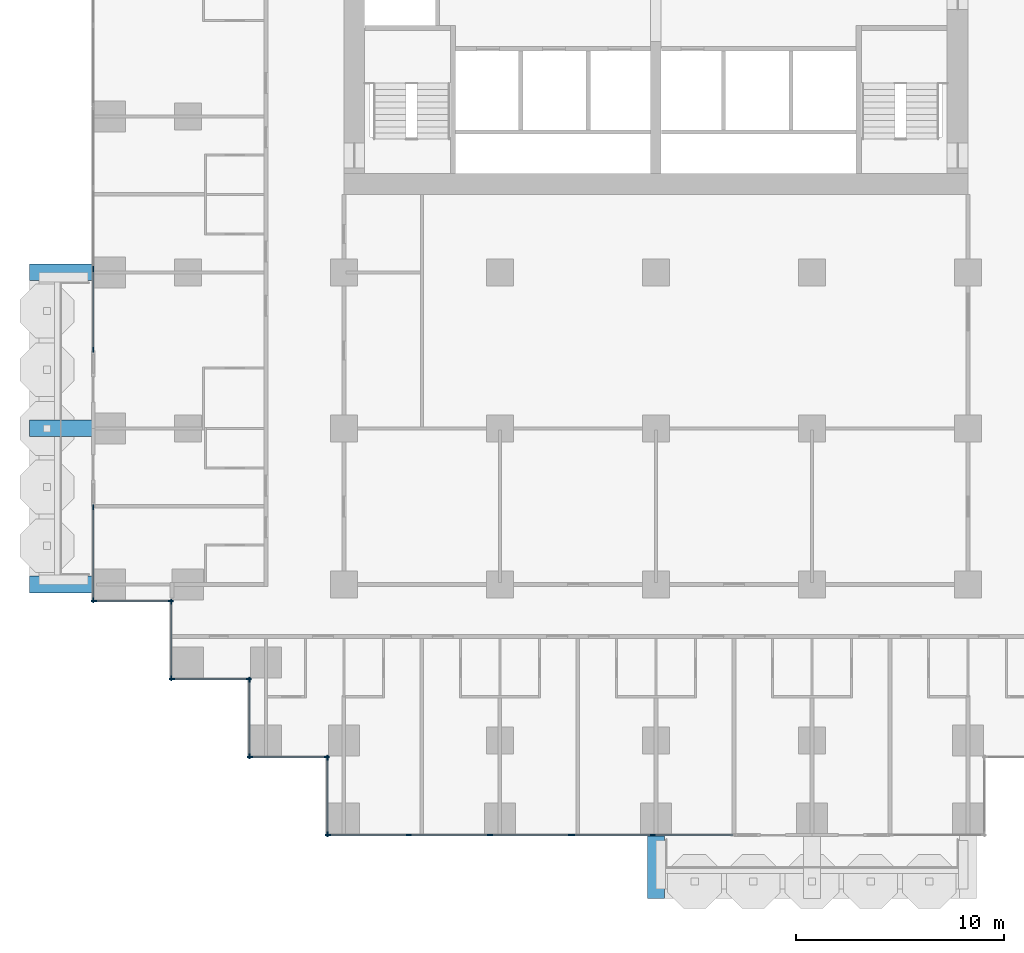
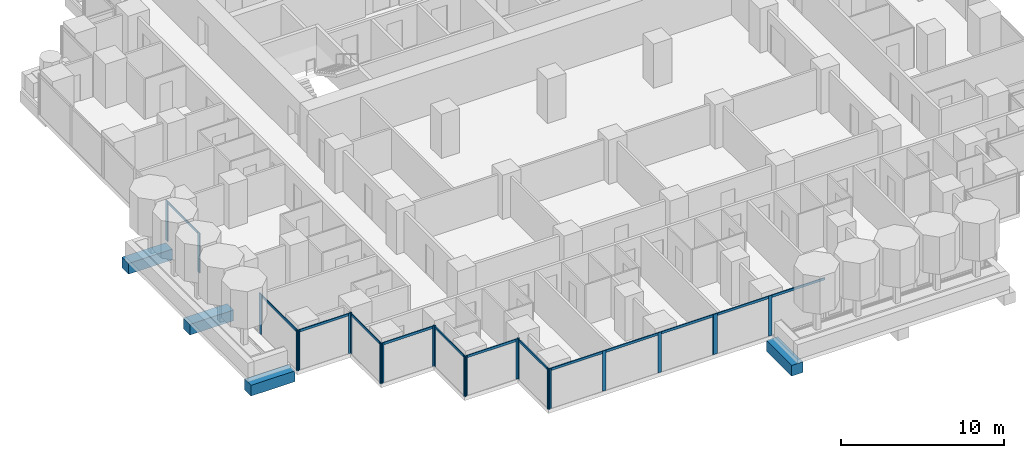
# One storey, part 2 of 19: 35 members, 4 beams, 10 elements without a shape of their own.
"""IFC4 building model written with IfcOpenShell, lengths in metres."""

from ifc_helpers import new_model, si_unit, direction, frame, origin, origin_2d, place, context, subcontext, project, spatial, rectangle, extrude, material, material_profile, profile_set, type_object, element, aggregate, save


model = new_model("IFC4")

# Units and contexts
model_context = context("Model", 3, precision=1e-05, world=origin(), true_north=direction((0.0, 1.0)))
body_context = subcontext(model_context, "Body", "Model", "MODEL_VIEW")
ifc_project = project(units=[si_unit("LENGTHUNIT", "METRE"), si_unit("AREAUNIT", "SQUARE_METRE"), si_unit("VOLUMEUNIT", "CUBIC_METRE"), si_unit("PLANEANGLEUNIT", "RADIAN"), si_unit("MASSUNIT", "GRAM", prefix="KILO")], contexts=[model_context])

# Site, building, storey
site_placement = place(None, origin())
site = spatial("IfcSite", under=ifc_project, at=site_placement, CompositionType="ELEMENT")
building_placement = place(site_placement, origin())
building = spatial("IfcBuilding", under=site, at=building_placement, Name="Pilkhan Gate Tower", CompositionType="ELEMENT")
storey_placement = place(building_placement, frame((0.0, 0.0, 65.89990234375)))
storey = spatial("IfcBuildingStorey", under=building, at=storey_placement, Name="L14", CompositionType="ELEMENT", Elevation=65.89990234375)

# Beams
ifc_material_1 = material(Name="Concrete C50/60", Category="concrete")
ifc_material_profile_1 = material_profile(ifc_material_1, rectangle(XDim=0.800048828125, YDim=0.800048828125, at=origin_2d()), Name="RC 800x800")
ifc_profile_set_1 = profile_set([ifc_material_profile_1], Name="Concrete C50/60")
beam_type = type_object("IfcBeamType", Name="Cantilever beam CB2 RC 800x800 C50/60", PredefinedType="BEAM", material=ifc_profile_set_1)
for number, where, z_axis, x_axis, name in (
    (1, (75.0, 40.5, -0.699951171875), (0.0, -1.0, 0.0), (1.0, 0.0, 0.0), "Balcony beam S.1 L14"),
    (2, (48.0, 52.5, -0.699951171875), (-1.0, 0.0, 0.0), (0.0, -1.0, 0.0), "Balcony beam W.1 L14"),
    (3, (48.0, 60.0, -0.699951171875), (-1.0, 0.0, 0.0), (0.0, -1.0, 0.0), "Balcony beam W.2 L14"),
    (4, (48.0, 67.5, -0.699951171875), (-1.0, 0.0, 0.0), (0.0, -1.0, 0.0), "Balcony beam W.3 L14"),
):
    element("IfcBeam", number, at=place(storey_placement, frame(where, z_axis=z_axis, x_axis=x_axis)), inside=storey, type_object=beam_type, Name=name, PredefinedType="BEAM", context=body_context, shape_type="SweptSolid", body=[
        extrude(rectangle(XDim=0.800048828125, YDim=0.800048828125, at=origin_2d()), origin(), (0.0, 0.0, 1.0), 3.10009765625),
    ])

# Curtain wall, members
ifc_material_2 = material(Name="Pale anodised aluminium, clear low-iron double glazing", Category="aluminium")
curtain_wall_type = type_object("IfcCurtainWallType", Name="Hotel unitised curtain wall CW-H", PredefinedType="USERDEFINED", material=ifc_material_2)
curtain_wall_1_placement = place(storey_placement, origin())
curtain_wall_1 = element("IfcCurtainWall", 5, at=curtain_wall_1_placement, inside=storey, type_object=curtain_wall_type, Name="Hotel unitised curtain wall CW-H L14 W", ObjectType="UNITISED CURTAIN WALL", PredefinedType="USERDEFINED")
ifc_material_3 = material(Name="Pale anodised aluminium", Category="aluminium")
ifc_material_profile_2 = material_profile(ifc_material_3, rectangle(XDim=0.06494140625, YDim=0.25, at=origin_2d()), Name="Mullion 250x65")
ifc_profile_set_2 = profile_set([ifc_material_profile_2], Name="Pale anodised aluminium")
member_type_1 = type_object("IfcMemberType", Name="Mullion CW-H 250x65", PredefinedType="MULLION", material=ifc_profile_set_2)
member_1_placement = place(storey_placement, frame((47.955078125, 51.737548828125, 0.0), z_axis=(0.0, 0.0, 1.0), x_axis=(-1.0, 0.0, 0.0)))
member_1 = element("IfcMember", 6, at=member_1_placement, type_object=member_type_1, Name="CW-H mullion 1", PredefinedType="MULLION", context=body_context, shape_type="SweptSolid", body=[
    extrude(rectangle(XDim=0.06494140625, YDim=0.25, at=origin_2d()), origin(), (0.0, 0.0, 1.0), 3.0),
])
member_2_placement = place(storey_placement, frame((47.955078125, 56.217529296875, 0.0), z_axis=(0.0, 0.0, 1.0), x_axis=(-1.0, 0.0, 0.0)))
member_2 = element("IfcMember", 7, at=member_2_placement, type_object=member_type_1, Name="CW-H mullion 2", PredefinedType="MULLION", context=body_context, shape_type="SweptSolid", body=[
    extrude(rectangle(XDim=0.06494140625, YDim=0.25, at=origin_2d()), origin(), (0.0, 0.0, 1.0), 3.0),
])

curtain_wall_2_placement = place(storey_placement, origin())
curtain_wall_2 = element("IfcCurtainWall", 8, at=curtain_wall_2_placement, inside=storey, type_object=curtain_wall_type, Name="Hotel unitised curtain wall CW-H L14 W", ObjectType="UNITISED CURTAIN WALL", PredefinedType="USERDEFINED")
member_3_placement = place(storey_placement, frame((47.955078125, 63.782470703125, 0.0), z_axis=(0.0, 0.0, 1.0), x_axis=(-1.0, 0.0, 0.0)))
member_3 = element("IfcMember", 9, at=member_3_placement, type_object=member_type_1, Name="CW-H mullion 1", PredefinedType="MULLION", context=body_context, shape_type="SweptSolid", body=[
    extrude(rectangle(XDim=0.06494140625, YDim=0.25, at=origin_2d()), origin(), (0.0, 0.0, 1.0), 3.0),
])
member_4_placement = place(storey_placement, frame((47.955078125, 67.658935546875, 0.0), z_axis=(0.0, 0.0, 1.0), x_axis=(-1.0, 0.0, 0.0)))
member_4 = element("IfcMember", 10, at=member_4_placement, type_object=member_type_1, Name="CW-H mullion 2", PredefinedType="MULLION", context=body_context, shape_type="SweptSolid", body=[
    extrude(rectangle(XDim=0.06494140625, YDim=0.25, at=origin_2d()), origin(), (0.0, 0.0, 1.0), 3.0),
])

curtain_wall_3_placement = place(storey_placement, origin())
curtain_wall_3 = element("IfcCurtainWall", 11, at=curtain_wall_3_placement, inside=storey, type_object=curtain_wall_type, Name="Hotel unitised curtain wall CW-H L14 S", ObjectType="UNITISED CURTAIN WALL", PredefinedType="USERDEFINED")
member_5_placement = place(storey_placement, frame((47.987548828125, 51.705078125, 0.0), z_axis=(0.0, 0.0, 1.0), x_axis=(0.0, 1.0, 0.0)))
member_5 = element("IfcMember", 12, at=member_5_placement, type_object=member_type_1, Name="CW-H mullion 1", PredefinedType="MULLION", context=body_context, shape_type="SweptSolid", body=[
    extrude(rectangle(XDim=0.06494140625, YDim=0.25, at=origin_2d()), origin(), (0.0, 0.0, 1.0), 3.0),
])
member_6_placement = place(storey_placement, frame((51.672607421875, 51.705078125, 0.0), z_axis=(0.0, 0.0, 1.0), x_axis=(0.0, 1.0, 0.0)))
member_6 = element("IfcMember", 13, at=member_6_placement, type_object=member_type_1, Name="CW-H mullion 2", PredefinedType="MULLION", context=body_context, shape_type="SweptSolid", body=[
    extrude(rectangle(XDim=0.06494140625, YDim=0.25, at=origin_2d()), origin(), (0.0, 0.0, 1.0), 3.0),
])

curtain_wall_4_placement = place(storey_placement, origin())
curtain_wall_4 = element("IfcCurtainWall", 14, at=curtain_wall_4_placement, inside=storey, type_object=curtain_wall_type, Name="Hotel unitised curtain wall CW-H L14 W", ObjectType="UNITISED CURTAIN WALL", PredefinedType="USERDEFINED")
member_7_placement = place(storey_placement, frame((51.705078125, 47.987548828125, 0.0), z_axis=(0.0, 0.0, 1.0), x_axis=(-1.0, 0.0, 0.0)))
member_7 = element("IfcMember", 15, at=member_7_placement, type_object=member_type_1, Name="CW-H mullion 1", PredefinedType="MULLION", context=body_context, shape_type="SweptSolid", body=[
    extrude(rectangle(XDim=0.06494140625, YDim=0.25, at=origin_2d()), origin(), (0.0, 0.0, 1.0), 3.0),
])
member_8_placement = place(storey_placement, frame((51.705078125, 51.672607421875, 0.0), z_axis=(0.0, 0.0, 1.0), x_axis=(-1.0, 0.0, 0.0)))
member_8 = element("IfcMember", 16, at=member_8_placement, type_object=member_type_1, Name="CW-H mullion 2", PredefinedType="MULLION", context=body_context, shape_type="SweptSolid", body=[
    extrude(rectangle(XDim=0.06494140625, YDim=0.25, at=origin_2d()), origin(), (0.0, 0.0, 1.0), 3.0),
])

curtain_wall_5_placement = place(storey_placement, origin())
curtain_wall_5 = element("IfcCurtainWall", 17, at=curtain_wall_5_placement, inside=storey, type_object=curtain_wall_type, Name="Hotel unitised curtain wall CW-H L14 S", ObjectType="UNITISED CURTAIN WALL", PredefinedType="USERDEFINED")
member_9_placement = place(storey_placement, frame((51.737548828125, 47.955078125, 0.0), z_axis=(0.0, 0.0, 1.0), x_axis=(0.0, 1.0, 0.0)))
member_9 = element("IfcMember", 18, at=member_9_placement, type_object=member_type_1, Name="CW-H mullion 1", PredefinedType="MULLION", context=body_context, shape_type="SweptSolid", body=[
    extrude(rectangle(XDim=0.06494140625, YDim=0.25, at=origin_2d()), origin(), (0.0, 0.0, 1.0), 3.0),
])
member_10_placement = place(storey_placement, frame((55.422607421875, 47.955078125, 0.0), z_axis=(0.0, 0.0, 1.0), x_axis=(0.0, 1.0, 0.0)))
member_10 = element("IfcMember", 19, at=member_10_placement, type_object=member_type_1, Name="CW-H mullion 2", PredefinedType="MULLION", context=body_context, shape_type="SweptSolid", body=[
    extrude(rectangle(XDim=0.06494140625, YDim=0.25, at=origin_2d()), origin(), (0.0, 0.0, 1.0), 3.0),
])

curtain_wall_6_placement = place(storey_placement, origin())
curtain_wall_6 = element("IfcCurtainWall", 20, at=curtain_wall_6_placement, inside=storey, type_object=curtain_wall_type, Name="Hotel unitised curtain wall CW-H L14 W", ObjectType="UNITISED CURTAIN WALL", PredefinedType="USERDEFINED")
member_11_placement = place(storey_placement, frame((55.455078125, 44.237548828125, 0.0), z_axis=(0.0, 0.0, 1.0), x_axis=(-1.0, 0.0, 0.0)))
member_11 = element("IfcMember", 21, at=member_11_placement, type_object=member_type_1, Name="CW-H mullion 1", PredefinedType="MULLION", context=body_context, shape_type="SweptSolid", body=[
    extrude(rectangle(XDim=0.06494140625, YDim=0.25, at=origin_2d()), origin(), (0.0, 0.0, 1.0), 3.0),
])
member_12_placement = place(storey_placement, frame((55.455078125, 47.922607421875, 0.0), z_axis=(0.0, 0.0, 1.0), x_axis=(-1.0, 0.0, 0.0)))
member_12 = element("IfcMember", 22, at=member_12_placement, type_object=member_type_1, Name="CW-H mullion 2", PredefinedType="MULLION", context=body_context, shape_type="SweptSolid", body=[
    extrude(rectangle(XDim=0.06494140625, YDim=0.25, at=origin_2d()), origin(), (0.0, 0.0, 1.0), 3.0),
])

curtain_wall_7_placement = place(storey_placement, origin())
curtain_wall_7 = element("IfcCurtainWall", 23, at=curtain_wall_7_placement, inside=storey, type_object=curtain_wall_type, Name="Hotel unitised curtain wall CW-H L14 S", ObjectType="UNITISED CURTAIN WALL", PredefinedType="USERDEFINED")
member_13_placement = place(storey_placement, frame((55.487548828125, 44.205078125, 0.0), z_axis=(0.0, 0.0, 1.0), x_axis=(0.0, 1.0, 0.0)))
member_13 = element("IfcMember", 24, at=member_13_placement, type_object=member_type_1, Name="CW-H mullion 1", PredefinedType="MULLION", context=body_context, shape_type="SweptSolid", body=[
    extrude(rectangle(XDim=0.06494140625, YDim=0.25, at=origin_2d()), origin(), (0.0, 0.0, 1.0), 3.0),
])
member_14_placement = place(storey_placement, frame((59.172607421875, 44.205078125, 0.0), z_axis=(0.0, 0.0, 1.0), x_axis=(0.0, 1.0, 0.0)))
member_14 = element("IfcMember", 25, at=member_14_placement, type_object=member_type_1, Name="CW-H mullion 2", PredefinedType="MULLION", context=body_context, shape_type="SweptSolid", body=[
    extrude(rectangle(XDim=0.06494140625, YDim=0.25, at=origin_2d()), origin(), (0.0, 0.0, 1.0), 3.0),
])

curtain_wall_8_placement = place(storey_placement, origin())
curtain_wall_8 = element("IfcCurtainWall", 26, at=curtain_wall_8_placement, inside=storey, type_object=curtain_wall_type, Name="Hotel unitised curtain wall CW-H L14 W", ObjectType="UNITISED CURTAIN WALL", PredefinedType="USERDEFINED")
member_15_placement = place(storey_placement, frame((59.205078125, 40.487548828125, 0.0), z_axis=(0.0, 0.0, 1.0), x_axis=(-1.0, 0.0, 0.0)))
member_15 = element("IfcMember", 27, at=member_15_placement, type_object=member_type_1, Name="CW-H mullion 1", PredefinedType="MULLION", context=body_context, shape_type="SweptSolid", body=[
    extrude(rectangle(XDim=0.06494140625, YDim=0.25, at=origin_2d()), origin(), (0.0, 0.0, 1.0), 3.0),
])
member_16_placement = place(storey_placement, frame((59.205078125, 44.172607421875, 0.0), z_axis=(0.0, 0.0, 1.0), x_axis=(-1.0, 0.0, 0.0)))
member_16 = element("IfcMember", 28, at=member_16_placement, type_object=member_type_1, Name="CW-H mullion 2", PredefinedType="MULLION", context=body_context, shape_type="SweptSolid", body=[
    extrude(rectangle(XDim=0.06494140625, YDim=0.25, at=origin_2d()), origin(), (0.0, 0.0, 1.0), 3.0),
])

curtain_wall_9_placement = place(storey_placement, origin())
curtain_wall_9 = element("IfcCurtainWall", 29, at=curtain_wall_9_placement, inside=storey, type_object=curtain_wall_type, Name="Hotel unitised curtain wall CW-H L14 S", ObjectType="UNITISED CURTAIN WALL", PredefinedType="USERDEFINED")
member_17_placement = place(storey_placement, frame((59.237548828125, 40.455078125, 0.0), z_axis=(0.0, 0.0, 1.0), x_axis=(0.0, 1.0, 0.0)))
member_17 = element("IfcMember", 30, at=member_17_placement, type_object=member_type_1, Name="CW-H mullion 1", PredefinedType="MULLION", context=body_context, shape_type="SweptSolid", body=[
    extrude(rectangle(XDim=0.06494140625, YDim=0.25, at=origin_2d()), origin(), (0.0, 0.0, 1.0), 3.0),
])
member_18_placement = place(storey_placement, frame((63.114013671875, 40.455078125, 0.0), z_axis=(0.0, 0.0, 1.0), x_axis=(0.0, 1.0, 0.0)))
member_18 = element("IfcMember", 31, at=member_18_placement, type_object=member_type_1, Name="CW-H mullion 2", PredefinedType="MULLION", context=body_context, shape_type="SweptSolid", body=[
    extrude(rectangle(XDim=0.06494140625, YDim=0.25, at=origin_2d()), origin(), (0.0, 0.0, 1.0), 3.0),
])
member_19_placement = place(storey_placement, frame((67.02294921875, 40.455078125, 0.0), z_axis=(0.0, 0.0, 1.0), x_axis=(0.0, 1.0, 0.0)))
member_19 = element("IfcMember", 32, at=member_19_placement, type_object=member_type_1, Name="CW-H mullion 3", PredefinedType="MULLION", context=body_context, shape_type="SweptSolid", body=[
    extrude(rectangle(XDim=0.06494140625, YDim=0.25, at=origin_2d()), origin(), (0.0, 0.0, 1.0), 3.0),
])
member_20_placement = place(storey_placement, frame((70.8994140625, 40.455078125, 0.0), z_axis=(0.0, 0.0, 1.0), x_axis=(0.0, 1.0, 0.0)))
member_20 = element("IfcMember", 33, at=member_20_placement, type_object=member_type_1, Name="CW-H mullion 4", PredefinedType="MULLION", context=body_context, shape_type="SweptSolid", body=[
    extrude(rectangle(XDim=0.06494140625, YDim=0.25, at=origin_2d()), origin(), (0.0, 0.0, 1.0), 3.0),
])

curtain_wall_10_placement = place(storey_placement, origin())
curtain_wall_10 = element("IfcCurtainWall", 34, at=curtain_wall_10_placement, inside=storey, type_object=curtain_wall_type, Name="Hotel unitised curtain wall CW-H L14 S", ObjectType="UNITISED CURTAIN WALL", PredefinedType="USERDEFINED")
member_21_placement = place(storey_placement, frame((70.964599609375, 40.455078125, 0.0), z_axis=(0.0, 0.0, 1.0), x_axis=(0.0, 1.0, 0.0)))
member_21 = element("IfcMember", 35, at=member_21_placement, type_object=member_type_1, Name="CW-H mullion 1", PredefinedType="MULLION", context=body_context, shape_type="SweptSolid", body=[
    extrude(rectangle(XDim=0.06494140625, YDim=0.25, at=origin_2d()), origin(), (0.0, 0.0, 1.0), 3.0),
])
member_22_placement = place(storey_placement, frame((74.841064453125, 40.455078125, 0.0), z_axis=(0.0, 0.0, 1.0), x_axis=(0.0, 1.0, 0.0)))
member_22 = element("IfcMember", 36, at=member_22_placement, type_object=member_type_1, Name="CW-H mullion 2", PredefinedType="MULLION", context=body_context, shape_type="SweptSolid", body=[
    extrude(rectangle(XDim=0.06494140625, YDim=0.25, at=origin_2d()), origin(), (0.0, 0.0, 1.0), 3.0),
])

# Member
ifc_material_profile_3 = material_profile(ifc_material_3, rectangle(XDim=0.06494140625, YDim=0.179931640625, at=origin_2d()), Name="Transom 180x65")
ifc_profile_set_3 = profile_set([ifc_material_profile_3], Name="Pale anodised aluminium")
member_type_2 = type_object("IfcMemberType", Name="Transom CW-H 180x65", PredefinedType="USERDEFINED", material=ifc_profile_set_3)
member_23_placement = place(storey_placement, frame((47.955078125, 51.77001953125, 2.91015625), z_axis=(0.0, 1.0, 0.0), x_axis=(-1.0, 0.0, 0.0)))
member_23 = element("IfcMember", 37, at=member_23_placement, type_object=member_type_2, Name="CW-H transom 1", ObjectType="TRANSOM", PredefinedType="USERDEFINED", context=body_context, shape_type="SweptSolid", body=[
    extrude(rectangle(XDim=0.06494140625, YDim=0.179931640625, at=origin_2d()), origin(), (0.0, 0.0, 1.0), 4.4150390625),
])

aggregate(curtain_wall_1, [member_1, member_2, member_23])

member_24_placement = place(storey_placement, frame((47.955078125, 63.81494140625, 2.91015625), z_axis=(0.0, 1.0, 0.0), x_axis=(-1.0, 0.0, 0.0)))
member_24 = element("IfcMember", 38, at=member_24_placement, type_object=member_type_2, Name="CW-H transom 1", ObjectType="TRANSOM", PredefinedType="USERDEFINED", context=body_context, shape_type="SweptSolid", body=[
    extrude(rectangle(XDim=0.06494140625, YDim=0.179931640625, at=origin_2d()), origin(), (0.0, 0.0, 1.0), 3.8115234375),
])

aggregate(curtain_wall_2, [member_3, member_4, member_24])

member_25_placement = place(storey_placement, frame((48.02001953125, 51.705078125, 2.91015625), z_axis=(1.0, 0.0, 0.0), x_axis=(0.0, 1.0, 0.0)))
member_25 = element("IfcMember", 39, at=member_25_placement, type_object=member_type_2, Name="CW-H transom 1", ObjectType="TRANSOM", PredefinedType="USERDEFINED", context=body_context, shape_type="SweptSolid", body=[
    extrude(rectangle(XDim=0.06494140625, YDim=0.179931640625, at=origin_2d()), origin(), (0.0, 0.0, 1.0), 3.619873046875),
])

aggregate(curtain_wall_3, [member_5, member_6, member_25])

member_26_placement = place(storey_placement, frame((51.705078125, 48.02001953125, 2.91015625), z_axis=(0.0, 1.0, 0.0), x_axis=(-1.0, 0.0, 0.0)))
member_26 = element("IfcMember", 40, at=member_26_placement, type_object=member_type_2, Name="CW-H transom 1", ObjectType="TRANSOM", PredefinedType="USERDEFINED", context=body_context, shape_type="SweptSolid", body=[
    extrude(rectangle(XDim=0.06494140625, YDim=0.179931640625, at=origin_2d()), origin(), (0.0, 0.0, 1.0), 3.619873046875),
])

aggregate(curtain_wall_4, [member_7, member_8, member_26])

member_27_placement = place(storey_placement, frame((51.77001953125, 47.955078125, 2.91015625), z_axis=(1.0, 0.0, 0.0), x_axis=(0.0, 1.0, 0.0)))
member_27 = element("IfcMember", 41, at=member_27_placement, type_object=member_type_2, Name="CW-H transom 1", ObjectType="TRANSOM", PredefinedType="USERDEFINED", context=body_context, shape_type="SweptSolid", body=[
    extrude(rectangle(XDim=0.06494140625, YDim=0.179931640625, at=origin_2d()), origin(), (0.0, 0.0, 1.0), 3.619873046875),
])

aggregate(curtain_wall_5, [member_9, member_10, member_27])

member_28_placement = place(storey_placement, frame((55.455078125, 44.27001953125, 2.91015625), z_axis=(0.0, 1.0, 0.0), x_axis=(-1.0, 0.0, 0.0)))
member_28 = element("IfcMember", 42, at=member_28_placement, type_object=member_type_2, Name="CW-H transom 1", ObjectType="TRANSOM", PredefinedType="USERDEFINED", context=body_context, shape_type="SweptSolid", body=[
    extrude(rectangle(XDim=0.06494140625, YDim=0.179931640625, at=origin_2d()), origin(), (0.0, 0.0, 1.0), 3.619873046875),
])

aggregate(curtain_wall_6, [member_11, member_12, member_28])

member_29_placement = place(storey_placement, frame((55.52001953125, 44.205078125, 2.91015625), z_axis=(1.0, 0.0, 0.0), x_axis=(0.0, 1.0, 0.0)))
member_29 = element("IfcMember", 43, at=member_29_placement, type_object=member_type_2, Name="CW-H transom 1", ObjectType="TRANSOM", PredefinedType="USERDEFINED", context=body_context, shape_type="SweptSolid", body=[
    extrude(rectangle(XDim=0.06494140625, YDim=0.179931640625, at=origin_2d()), origin(), (0.0, 0.0, 1.0), 3.619873046875),
])

aggregate(curtain_wall_7, [member_13, member_14, member_29])

member_30_placement = place(storey_placement, frame((59.205078125, 40.52001953125, 2.91015625), z_axis=(0.0, 1.0, 0.0), x_axis=(-1.0, 0.0, 0.0)))
member_30 = element("IfcMember", 44, at=member_30_placement, type_object=member_type_2, Name="CW-H transom 1", ObjectType="TRANSOM", PredefinedType="USERDEFINED", context=body_context, shape_type="SweptSolid", body=[
    extrude(rectangle(XDim=0.06494140625, YDim=0.179931640625, at=origin_2d()), origin(), (0.0, 0.0, 1.0), 3.619873046875),
])

aggregate(curtain_wall_8, [member_15, member_16, member_30])

member_31_placement = place(storey_placement, frame((59.27001953125, 40.455078125, 2.91015625), z_axis=(1.0, 0.0, 0.0), x_axis=(0.0, 1.0, 0.0)))
member_31 = element("IfcMember", 45, at=member_31_placement, type_object=member_type_2, Name="CW-H transom 1", ObjectType="TRANSOM", PredefinedType="USERDEFINED", context=body_context, shape_type="SweptSolid", body=[
    extrude(rectangle(XDim=0.06494140625, YDim=0.179931640625, at=origin_2d()), origin(), (0.0, 0.0, 1.0), 3.8115234375),
])

member_32_placement = place(storey_placement, frame((63.146484375, 40.455078125, 2.91015625), z_axis=(1.0, 0.0, 0.0), x_axis=(0.0, 1.0, 0.0)))
member_32 = element("IfcMember", 46, at=member_32_placement, type_object=member_type_2, Name="CW-H transom 2", ObjectType="TRANSOM", PredefinedType="USERDEFINED", context=body_context, shape_type="SweptSolid", body=[
    extrude(rectangle(XDim=0.06494140625, YDim=0.179931640625, at=origin_2d()), origin(), (0.0, 0.0, 1.0), 3.843994140625),
])

member_33_placement = place(storey_placement, frame((67.055419921875, 40.455078125, 2.91015625), z_axis=(1.0, 0.0, 0.0), x_axis=(0.0, 1.0, 0.0)))
member_33 = element("IfcMember", 47, at=member_33_placement, type_object=member_type_2, Name="CW-H transom 3", ObjectType="TRANSOM", PredefinedType="USERDEFINED", context=body_context, shape_type="SweptSolid", body=[
    extrude(rectangle(XDim=0.06494140625, YDim=0.179931640625, at=origin_2d()), origin(), (0.0, 0.0, 1.0), 3.8115234375),
])

aggregate(curtain_wall_9, [member_17, member_18, member_19, member_20, member_31, member_32, member_33])

member_34_placement = place(storey_placement, frame((70.9970703125, 40.455078125, 2.91015625), z_axis=(1.0, 0.0, 0.0), x_axis=(0.0, 1.0, 0.0)))
member_34 = element("IfcMember", 48, at=member_34_placement, type_object=member_type_2, Name="CW-H transom 1", ObjectType="TRANSOM", PredefinedType="USERDEFINED", context=body_context, shape_type="SweptSolid", body=[
    extrude(rectangle(XDim=0.06494140625, YDim=0.179931640625, at=origin_2d()), origin(), (0.0, 0.0, 1.0), 3.8115234375),
])

member_35_placement = place(storey_placement, frame((74.87353515625, 40.455078125, 2.91015625), z_axis=(1.0, 0.0, 0.0), x_axis=(0.0, 1.0, 0.0)))
member_35 = element("IfcMember", 49, at=member_35_placement, type_object=member_type_2, Name="CW-H transom 2", ObjectType="TRANSOM", PredefinedType="USERDEFINED", context=body_context, shape_type="SweptSolid", body=[
    extrude(rectangle(XDim=0.06494140625, YDim=0.179931640625, at=origin_2d()), origin(), (0.0, 0.0, 1.0), 3.8115234375),
])

aggregate(curtain_wall_10, [member_21, member_22, member_34, member_35])

save(model, "model.ifc")
